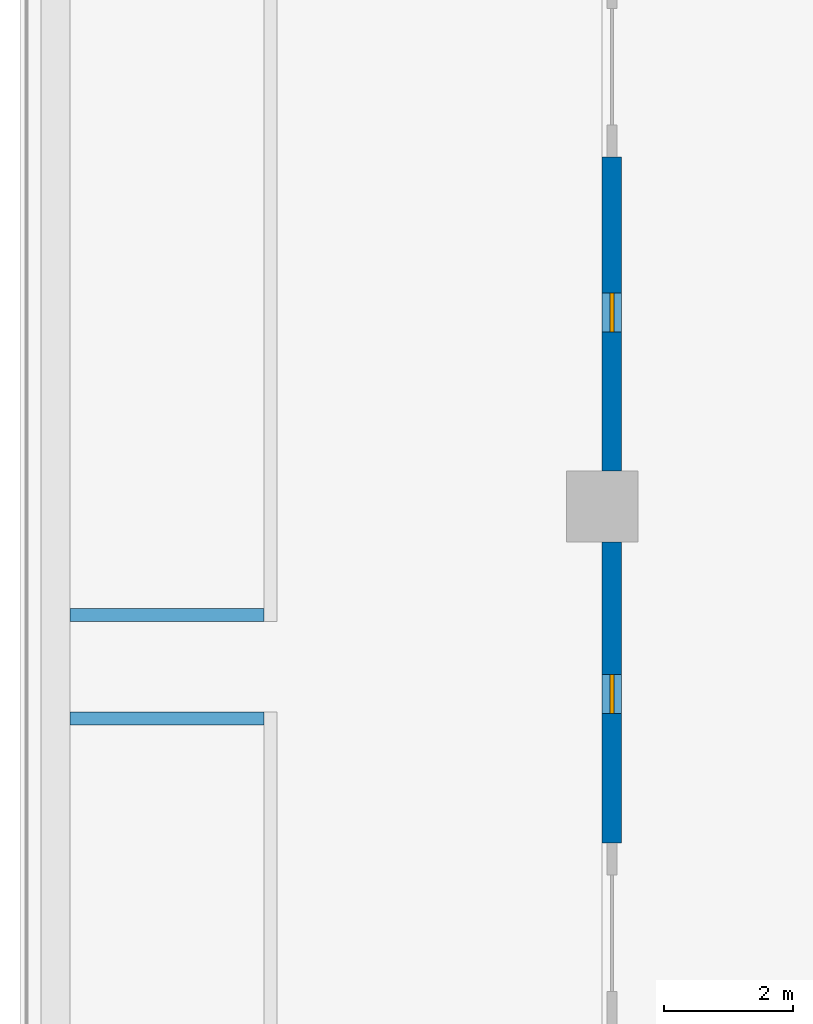
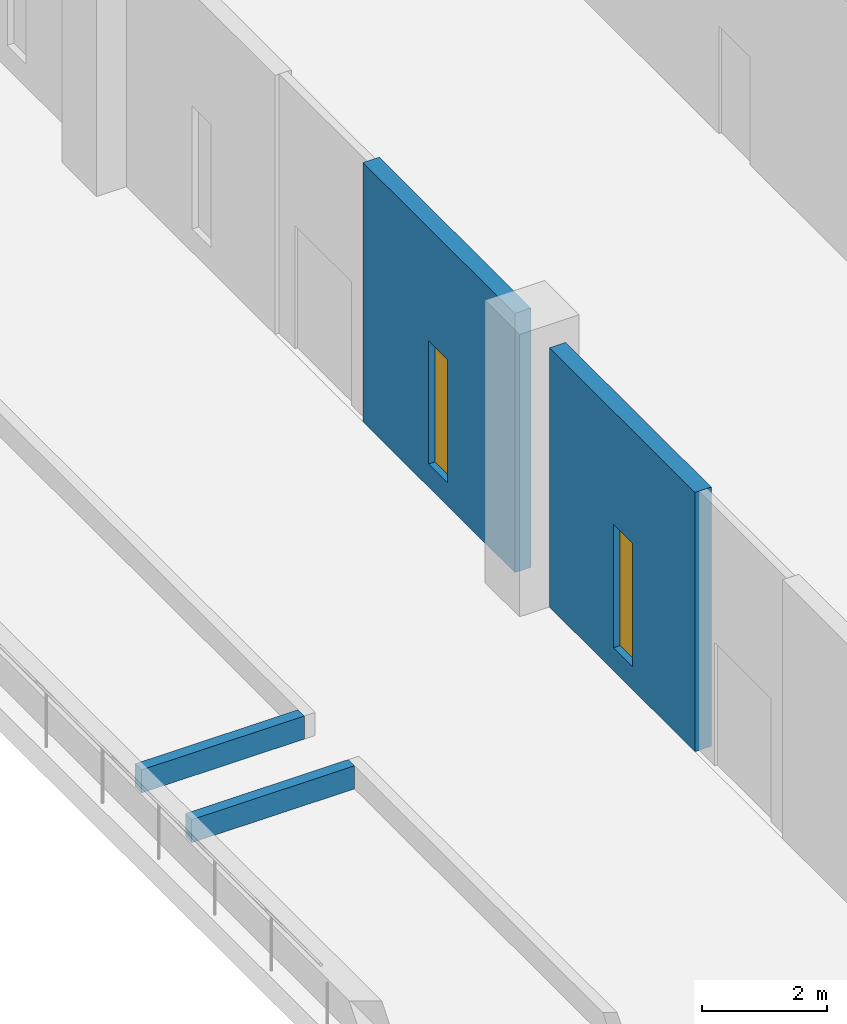
# One storey, part 22 of 47: 4 walls, 2 windows, 2 openings.
"""IFC4 building model written with IfcOpenShell, lengths in metres."""

import ifcopenshell
import ifcopenshell.guid

model = None  # the IFC model being written
_history = None  # IfcOwnerHistory: only IFC2X3 demands one
_inside = {}  # id of a spatial element -> (the spatial element, [elements in it])
_under = {}  # id of a project, library or spatial element -> (it, [spatial elements below it])
_declared = {}  # id of a project -> (the project, [libraries it declares])
_typed = {}  # id of a type object -> (the type object, [elements of that type])
_made_of = {}  # id of a material, layer set ... -> (it, [elements and type objects made of it])


def new_model(schema):
    """Start an empty IFC model of exactly this schema.

    Asked for "IFC4X3", IfcOpenShell would pick the latest addendum, in which some entities
    have other attributes; the version numbers below select the first issue.
    IFC2X3 requires an IfcOwnerHistory on every rooted entity: one is made here for all.
    """
    global model, _history
    if schema == "IFC4X3":
        model = ifcopenshell.file(schema_version=(4, 3, 0, 0))
    else:
        model = ifcopenshell.file(schema=schema)
    _inside.clear()
    _under.clear()
    _declared.clear()
    _typed.clear()
    _made_of.clear()
    _history = None
    if model.schema == "IFC2X3":
        org = make("IfcOrganization", Name="unknown")
        user = make(
            "IfcPersonAndOrganization",
            ThePerson=make("IfcPerson", FamilyName="unknown"),
            TheOrganization=org,
        )
        app = make(
            "IfcApplication",
            ApplicationDeveloper=org,
            Version="unknown",
            ApplicationFullName="unknown",
            ApplicationIdentifier="unknown",
        )
        _history = make(
            "IfcOwnerHistory",
            OwningUser=user,
            OwningApplication=app,
            ChangeAction="ADDED",
            CreationDate=0,
        )
    return model


def make(cls, **values):
    """One entity of the class cls with the attributes given. An attribute that is None is left unset."""
    return model.create_entity(
        cls, **{name: value for name, value in values.items() if value is not None}
    )


def rooted(cls, **values):
    """An entity with a GlobalId (a new one), such as an element, a storey or a relation."""
    return make(cls, GlobalId=ifcopenshell.guid.new(), OwnerHistory=_history, **values)


def si_unit(unit_type, name, prefix=None):
    """IfcSIUnit, for example si_unit("LENGTHUNIT", "METRE", prefix="MILLI")."""
    return make("IfcSIUnit", UnitType=unit_type, Prefix=prefix, Name=name)


def assignment(units):
    """IfcUnitAssignment: the units of a project."""
    return None if units is None else make("IfcUnitAssignment", Units=units)


def point(xyz):
    """IfcCartesianPoint."""
    return None if xyz is None else make("IfcCartesianPoint", Coordinates=xyz)


def direction(xyz):
    """IfcDirection."""
    return None if xyz is None else make("IfcDirection", DirectionRatios=xyz)


def frame(location, z_axis=None, x_axis=None):
    """IfcAxis2Placement3D, a coordinate frame: its origin and axes. An axis left out is left unset."""
    return make(
        "IfcAxis2Placement3D",
        Location=point(location),
        Axis=direction(z_axis),
        RefDirection=direction(x_axis),
    )


def frame_2d(location, x_axis=None):
    """IfcAxis2Placement2D, a coordinate frame in the plane: its origin and x axis."""
    return make(
        "IfcAxis2Placement2D", Location=point(location), RefDirection=direction(x_axis)
    )


def origin():
    """The frame at (0, 0, 0) with its axes left unset."""
    return frame((0.0, 0.0, 0.0))


def place(relative_to, where):
    """IfcLocalPlacement: puts the frame where relative to a parent placement (None: the world)."""
    return make(
        "IfcLocalPlacement", PlacementRelTo=relative_to, RelativePlacement=where
    )


def context(
    kind, dimensions, precision=None, world=None, true_north=None, identifier=None
):
    """IfcGeometricRepresentationContext, for example the 3D "Model" context."""
    return make(
        "IfcGeometricRepresentationContext",
        ContextIdentifier=identifier,
        ContextType=kind,
        CoordinateSpaceDimension=dimensions,
        Precision=precision,
        WorldCoordinateSystem=world,
        TrueNorth=true_north,
    )


def subcontext(parent, identifier, kind, view, scale=None):
    """IfcGeometricRepresentationSubContext, for example "Body" below "Model"."""
    return make(
        "IfcGeometricRepresentationSubContext",
        ContextIdentifier=identifier,
        ContextType=kind,
        ParentContext=parent,
        TargetScale=scale,
        TargetView=view,
    )


def project(units=None, contexts=None):
    """IfcProject with its units and contexts."""
    return rooted(
        "IfcProject",
        Name="project",
        RepresentationContexts=contexts,
        UnitsInContext=assignment(units),
    )


def spatial(cls, under=None, at=None, **own):
    """A site, building, storey or space (cls), placed at a placement, below another one or the project."""
    s = rooted(cls, ObjectPlacement=at, **own)
    if under is not None:
        _under.setdefault(under.id(), (under, []))[1].append(s)
    return s


def profile(cls, at=None, kind="AREA", **sizes):
    """A parametric profile (cls). Its sizes go by their IFC names, for example OverallWidth=200.0."""
    return make(cls, ProfileType=kind, Position=at, **sizes)


def rectangle(**sizes):
    """IfcRectangleProfileDef."""
    return profile("IfcRectangleProfileDef", **sizes)


def extrude(swept, where, along, depth):
    """IfcExtrudedAreaSolid: the profile swept, set in the frame where, extruded along a direction by depth."""
    return make(
        "IfcExtrudedAreaSolid",
        SweptArea=swept,
        Position=where,
        ExtrudedDirection=direction(along),
        Depth=depth,
    )


def shape(context_of_items, identifier, shape_type, items):
    """IfcShapeRepresentation: the items that make up one representation, for example the "Body"."""
    return make(
        "IfcShapeRepresentation",
        ContextOfItems=context_of_items,
        RepresentationIdentifier=identifier,
        RepresentationType=shape_type,
        Items=items,
    )


def material(Name=None, Category=None):
    """IfcMaterial."""
    return make("IfcMaterial", Name=Name, Category=Category)


def layer(
    of_material, thickness, ventilated=None, Name=None, Category=None, Priority=None
):
    """IfcMaterialLayer: one layer of a wall or slab, of a material (None: an air gap)."""
    return make(
        "IfcMaterialLayer",
        Material=of_material,
        LayerThickness=thickness,
        IsVentilated=ventilated,
        Name=Name,
        Category=Category,
        Priority=Priority,
    )


def layer_set(layers, Name=None):
    """IfcMaterialLayerSet."""
    return make("IfcMaterialLayerSet", MaterialLayers=layers, LayerSetName=Name)


def made_of(thing, what):
    """Note that an element or type object is made of a material, layer set ...; save() writes the relation."""
    if what is not None:
        _made_of.setdefault(what.id(), (what, []))[1].append(thing)
    return thing


def type_object(cls, material=None, **own):
    """A type object (cls), such as IfcWallType, which elements share."""
    return made_of(rooted(cls, **own), material)


def element(
    cls,
    number,
    at=None,
    inside=None,
    cuts=None,
    type_object=None,
    material=None,
    context=None,
    identifier="Body",
    shape_type=None,
    held_by="IfcProductDefinitionShape",
    body=None,
    shapes=None,
    **own,
):
    """One element of the class cls, such as IfcWall. Its Tag is "e" and its number.

    at: its placement. inside: the storey or other place that contains it. cuts: it is an
    opening in that element (IfcRelVoidsElement). A single representation is given by context,
    identifier, shape_type and body (its items); several are given by shapes. held_by: the class
    of the entity that holds the representations. save() writes the other relations.
    """
    e = rooted(cls, Tag="e%d" % number, ObjectPlacement=at, **own)
    if body is not None:
        shapes = [shape(context, identifier, shape_type, body)]
    if shapes is not None:
        e.Representation = make(held_by, Representations=shapes)
    if inside is not None:
        _inside.setdefault(inside.id(), (inside, []))[1].append(e)
    if cuts is not None:
        rooted(
            "IfcRelVoidsElement", RelatingBuildingElement=cuts, RelatedOpeningElement=e
        )
    if type_object is not None:
        _typed.setdefault(type_object.id(), (type_object, []))[1].append(e)
    return made_of(e, material)


def fill(opening, filler):
    """IfcRelFillsElement: the door or window that sits in an opening."""
    return rooted(
        "IfcRelFillsElement",
        RelatingOpeningElement=opening,
        RelatedBuildingElement=filler,
    )


def aggregate(whole, parts):
    """IfcRelAggregates: a whole, such as a stair, and the parts it consists of."""
    return rooted("IfcRelAggregates", RelatingObject=whole, RelatedObjects=parts)


def save(model, path):
    """Write the relations noted so far, then the file.

    IfcRelAggregates (storeys below a building ...), IfcRelContainedInSpatialStructure (elements
    in a storey), IfcRelDefinesByType, IfcRelAssociatesMaterial and IfcRelDeclares: one each for
    every whole, place, type object, material and project.
    """
    for whole, parts in _under.values():
        aggregate(whole, parts)
    for where, things in _inside.values():
        rooted(
            "IfcRelContainedInSpatialStructure",
            RelatedElements=things,
            RelatingStructure=where,
        )
    for kind, things in _typed.values():
        rooted("IfcRelDefinesByType", RelatedObjects=things, RelatingType=kind)
    for what, things in _made_of.values():
        rooted("IfcRelAssociatesMaterial", RelatedObjects=things, RelatingMaterial=what)
    for by, libraries in _declared.values():
        rooted("IfcRelDeclares", RelatingContext=by, RelatedDefinitions=libraries)
    model.write(path)


model = new_model("IFC4")

# Units and contexts
model_context = context("Model", 3, precision=1e-05, world=origin(), true_north=direction((0.0, 1.0)))
body_context = subcontext(model_context, "Body", "Model", "MODEL_VIEW")
ifc_project = project(units=[si_unit("LENGTHUNIT", "METRE"), si_unit("AREAUNIT", "SQUARE_METRE"), si_unit("VOLUMEUNIT", "CUBIC_METRE"), si_unit("PLANEANGLEUNIT", "RADIAN"), si_unit("MASSUNIT", "GRAM", prefix="KILO")], contexts=[model_context])

# Site, building, storey
site_placement = place(None, origin())
site = spatial("IfcSite", under=ifc_project, at=site_placement, CompositionType="ELEMENT")
building_placement = place(site_placement, origin())
building = spatial("IfcBuilding", under=site, at=building_placement, Name="Altepetl Exchange Towers", CompositionType="ELEMENT")
storey_placement = place(building_placement, frame((0.0, 0.0, 6.0)))
storey = spatial("IfcBuildingStorey", under=building, at=storey_placement, Name="L01 Retail podium", CompositionType="ELEMENT", Elevation=6.0)

# Walls
ifc_material_1 = material(Name="Reinforced concrete C35/45", Category="concrete")
ifc_layer_1 = layer(ifc_material_1, 0.199951171875)
ifc_layer_set_1 = layer_set([ifc_layer_1], Name="Reinforced concrete C35/45")
wall_type_1 = type_object("IfcWallType", Name="Planting bed curb 200", PredefinedType="SOLIDWALL", material=ifc_layer_set_1)
for number, where, name in (
    (1, (0.77490234375, 32.719970703125, 0.0), "wall:P:L01:CB23n"),
    (2, (0.77490234375, 34.320068359375, 0.0), "wall:P:L01:CB24s"),
):
    element("IfcWall", number, at=place(storey_placement, frame(where)), inside=storey, type_object=wall_type_1, Name=name, PredefinedType="SOLIDWALL", context=body_context, shape_type="SweptSolid", body=[
        extrude(rectangle(XDim=3.0, YDim=0.199951171875, at=frame_2d((1.5, 0.0))), origin(), (0.0, 0.0, 1.0), 0.449951171875),
    ])

# Wall, opening, window
ifc_material_2 = material(Name="Cantera limestone cladding", Category="masonry")
ifc_layer_2 = layer(ifc_material_2, 0.300048828125)
ifc_layer_set_2 = layer_set([ifc_layer_2], Name="Cantera limestone cladding")
wall_type_2 = type_object("IfcWallType", Name="Stone wall panel 300", PredefinedType="ELEMENTEDWALL", material=ifc_layer_set_2)
wall_1_placement = place(storey_placement, frame((9.14990234375, 41.39990234375, 0.0), z_axis=(0.0, 0.0, 1.0), x_axis=(0.0, -1.0, 0.0)))
wall_1 = element("IfcWall", 3, at=wall_1_placement, inside=storey, type_object=wall_type_2, Name="Stone wall panel", PredefinedType="ELEMENTEDWALL", context=body_context, shape_type="SweptSolid", body=[
    extrude(rectangle(XDim=4.849853515625, YDim=0.300048828125, at=frame_2d((2.4248046875, 0.0))), origin(), (0.0, 0.0, 1.0), 5.050048828125),
])
opening_1_placement = place(wall_1_placement, frame((2.10009765625, 0.0, 0.449951171875)))
opening_1 = element("IfcOpeningElement", 4, at=opening_1_placement, cuts=wall_1, Name="Opening W3", PredefinedType="OPENING", context=body_context, shape_type="SweptSolid", body=[
    extrude(rectangle(XDim=0.60009765625, YDim=2.39990234375, at=frame_2d((0.300048828125, 1.199951171875))), frame((0.0, 0.16015625, 0.0), z_axis=(0.0, -1.0, 0.0), x_axis=(1.0, 0.0, 0.0)), (0.0, 0.0, 1.0), 0.320068359375),
])
ifc_material_3 = material(Name="Aluminium 6063-T6 and glass", Category="aluminium")
window_type = type_object("IfcWindowType", Name="Tall slot window 600x2400", PartitioningType="SINGLE_PANEL", PredefinedType="WINDOW", material=ifc_material_3)
window_1_placement = place(opening_1_placement, origin())
window_1 = element("IfcWindow", 5, at=window_1_placement, inside=storey, type_object=window_type, Name="Window", OverallHeight=2.39990234375, OverallWidth=0.60009765625, PartitioningType="SINGLE_PANEL", PredefinedType="WINDOW", context=body_context, shape_type="SweptSolid", body=[
    extrude(rectangle(XDim=0.60009765625, YDim=2.39990234375, at=frame_2d((0.300048828125, 1.199951171875))), frame((0.0, 0.030029296875, 0.0), z_axis=(0.0, -1.0, 0.0), x_axis=(1.0, 0.0, 0.0)), (0.0, 0.0, 1.0), 0.06005859375),
])
fill(opening_1, window_1)

wall_2_placement = place(storey_placement, frame((9.14990234375, 35.449951171875, 0.0), z_axis=(0.0, 0.0, 1.0), x_axis=(0.0, -1.0, 0.0)))
wall_2 = element("IfcWall", 6, at=wall_2_placement, inside=storey, type_object=wall_type_2, Name="Stone wall panel", PredefinedType="ELEMENTEDWALL", context=body_context, shape_type="SweptSolid", body=[
    extrude(rectangle(XDim=4.64990234375, YDim=0.300048828125, at=frame_2d((2.324951171875, 0.0))), origin(), (0.0, 0.0, 1.0), 5.050048828125),
])
opening_2_placement = place(wall_2_placement, frame((2.050048828125, 0.0, 0.449951171875)))
opening_2 = element("IfcOpeningElement", 7, at=opening_2_placement, cuts=wall_2, Name="Opening W3", PredefinedType="OPENING", context=body_context, shape_type="SweptSolid", body=[
    extrude(rectangle(XDim=0.60009765625, YDim=2.39990234375, at=frame_2d((0.300048828125, 1.199951171875))), frame((0.0, 0.16015625, 0.0), z_axis=(0.0, -1.0, 0.0), x_axis=(1.0, 0.0, 0.0)), (0.0, 0.0, 1.0), 0.320068359375),
])
window_2_placement = place(opening_2_placement, origin())
window_2 = element("IfcWindow", 8, at=window_2_placement, inside=storey, type_object=window_type, Name="Window", OverallHeight=2.39990234375, OverallWidth=0.60009765625, PartitioningType="SINGLE_PANEL", PredefinedType="WINDOW", context=body_context, shape_type="SweptSolid", body=[
    extrude(rectangle(XDim=0.60009765625, YDim=2.39990234375, at=frame_2d((0.300048828125, 1.199951171875))), frame((0.0, 0.030029296875, 0.0), z_axis=(0.0, -1.0, 0.0), x_axis=(1.0, 0.0, 0.0)), (0.0, 0.0, 1.0), 0.06005859375),
])
fill(opening_2, window_2)

save(model, "model.ifc")
